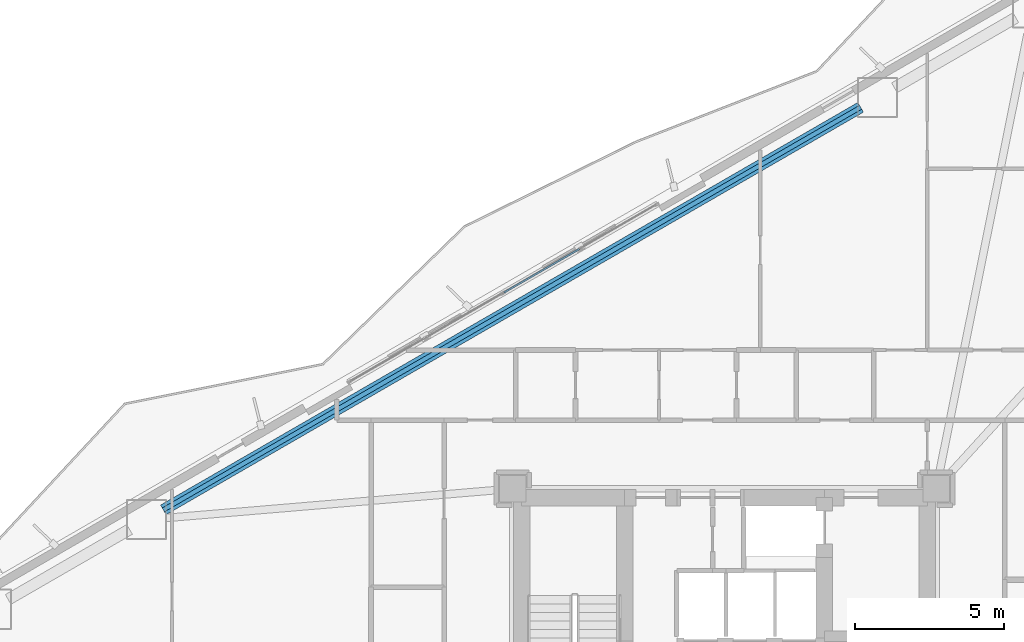
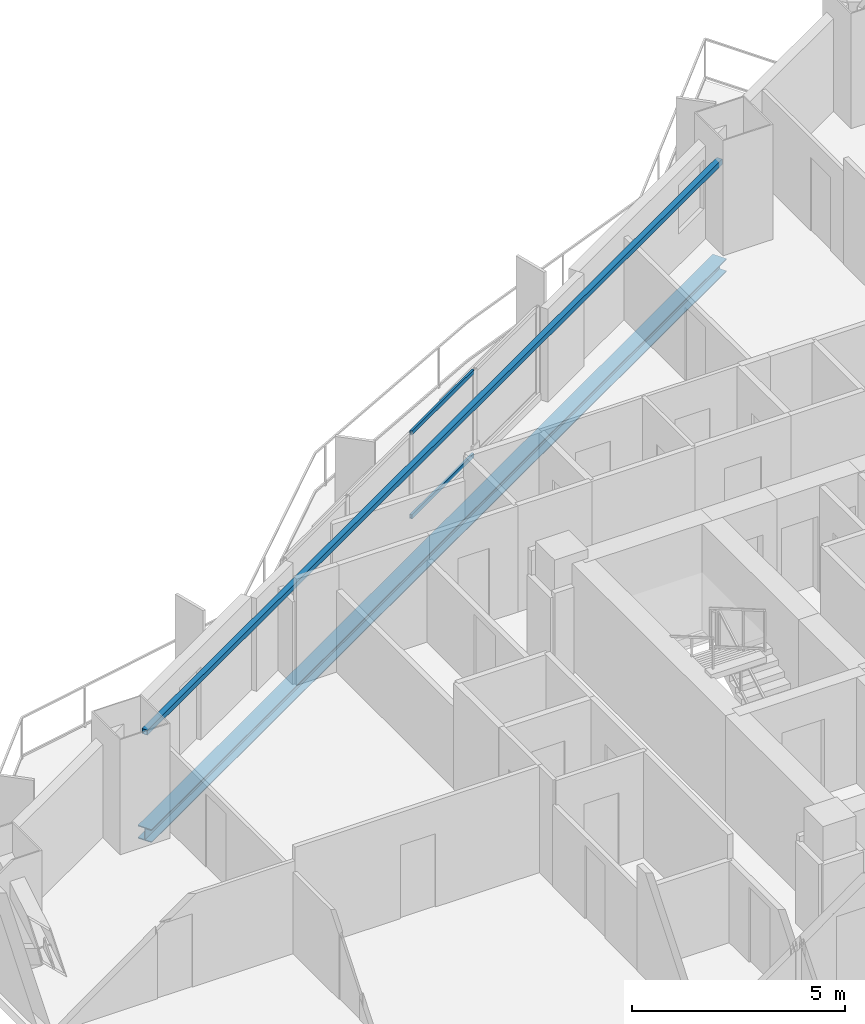
# One storey, part 8 of 19: 2 beams, 2 members, 1 element without a shape of its own.
"""IFC4 building model written with IfcOpenShell, lengths in metres."""

from ifc_helpers import new_model, si_unit, direction, frame, origin, origin_2d, place, context, subcontext, project, spatial, hollow_rectangle, i_section, extrude, material, layer, layer_set, material_profile, profile_set, type_object, element, aggregate, save


model = new_model("IFC4")

# Units and contexts
model_context = context("Model", 3, precision=1e-05, world=origin(), true_north=direction((0.0, 1.0)))
body_context = subcontext(model_context, "Body", "Model", "MODEL_VIEW")
ifc_project = project(units=[si_unit("LENGTHUNIT", "METRE"), si_unit("AREAUNIT", "SQUARE_METRE"), si_unit("VOLUMEUNIT", "CUBIC_METRE"), si_unit("PLANEANGLEUNIT", "RADIAN"), si_unit("MASSUNIT", "GRAM", prefix="KILO")], contexts=[model_context])

# Site, building, storey
site_placement = place(None, origin())
site = spatial("IfcSite", under=ifc_project, at=site_placement, CompositionType="ELEMENT")
building_placement = place(site_placement, origin())
building = spatial("IfcBuilding", under=site, at=building_placement, Name="Mersakhor Tower and Convention Hall", CompositionType="ELEMENT")
storey_placement = place(building_placement, frame((0.0, 0.0, 29.10009765625)))
storey = spatial("IfcBuildingStorey", under=building, at=storey_placement, Name="L07", CompositionType="ELEMENT", Elevation=29.10009765625)

# Beams
ifc_material_1 = material(Name="Steel S355", Category="steel")
ifc_material_profile_1 = material_profile(ifc_material_1, hollow_rectangle(XDim=0.14990234375, YDim=0.14990234375, WallThickness=0.010009765625, at=origin_2d()), Name="SHS 150x150x10")
ifc_profile_set_1 = profile_set([ifc_material_profile_1], Name="Steel S355")
beam_type_1 = type_object("IfcBeamType", Name="BM-GRT-SHS150", PredefinedType="USERDEFINED", material=ifc_profile_set_1)
beam_1_placement = place(storey_placement, frame((10.183837890625, 32.341064453125, 2.47998046875), z_axis=(0.866025970279, 0.499999018801, 0.0), x_axis=(-0.499999018801, 0.866025970279, 0.0)))
element("IfcBeam", 1, at=beam_1_placement, inside=storey, type_object=beam_type_1, Name="L07 Facade Support Girt GRT-F1", ObjectType="GIRT", PredefinedType="USERDEFINED", context=body_context, shape_type="SweptSolid", body=[
    extrude(hollow_rectangle(XDim=0.14990234375, YDim=0.14990234375, WallThickness=0.010009765625, at=origin_2d()), origin(), (0.0, 0.0, 1.0), 26.99951171875),
])
ifc_material_2 = material(Name="Steel S355", Category="steel")
ifc_material_profile_2 = material_profile(ifc_material_2, i_section(OverallWidth=0.374755859375, OverallDepth=0.37451171875, WebThickness=0.0166015625, FlangeThickness=0.027099609375, at=origin_2d()), Name="UC 356x368x202")
ifc_profile_set_2 = profile_set([ifc_material_profile_2], Name="Steel S355")
beam_type_2 = type_object("IfcBeamType", Name="BM-SPD-UC356", PredefinedType="SPANDREL", material=ifc_profile_set_2)
beam_2_placement = place(storey_placement, frame((10.183837890625, 32.341064453125, -0.447509765625), z_axis=(0.866025970279, 0.499999018801, 0.0), x_axis=(-0.499999018801, 0.866025970279, 0.0)))
element("IfcBeam", 2, at=beam_2_placement, inside=storey, type_object=beam_type_2, Name="L07 Perimeter Spandrel Beam SPB-02", PredefinedType="SPANDREL", context=body_context, shape_type="SweptSolid", body=[
    extrude(i_section(OverallWidth=0.374755859375, OverallDepth=0.37451171875, WebThickness=0.0166015625, FlangeThickness=0.027099609375, at=origin_2d()), origin(), (0.0, 0.0, 1.0), 26.99951171875),
])

# Curtain wall, members
ifc_material_3 = material(Name="Dark solar low-E aluminium curtain wall", Category="aluminium")
ifc_layer = layer(ifc_material_3, 0.159912109375)
ifc_layer_set = layer_set([ifc_layer], Name="Dark solar low-E aluminium curtain wall")
curtain_wall_type = type_object("IfcCurtainWallType", Name="CW-SYS-01", PredefinedType="USERDEFINED", material=ifc_layer_set)
curtain_wall_placement = place(storey_placement, origin())
curtain_wall = element("IfcCurtainWall", 3, at=curtain_wall_placement, inside=storey, type_object=curtain_wall_type, Name="L07 Dark-Glass Curtain Wall F1-B2", ObjectType="CURTAIN WALL", PredefinedType="USERDEFINED")
ifc_material_4 = material(Name="Anodised aluminium EN AW-6063 T6", Category="aluminium")
ifc_material_profile_3 = material_profile(ifc_material_4, hollow_rectangle(XDim=0.06005859375, YDim=0.1201171875, WallThickness=0.0048828125, at=origin_2d()), Name="RHS 120x60x5")
ifc_profile_set_3 = profile_set([ifc_material_profile_3], Name="Anodised aluminium EN AW-6063 T6")
member_type = type_object("IfcMemberType", Name="CWT-120x60", PredefinedType="USERDEFINED", material=ifc_profile_set_3)
member_1_placement = place(storey_placement, frame((21.607421875, 39.629150390625, 0.22998046875), z_axis=(0.866015622527, 0.500016941252, 0.0), x_axis=(-0.500016941252, 0.866015622527, 0.0)))
member_1 = element("IfcMember", 4, at=member_1_placement, type_object=member_type, Name="CW-01 transom 3.1", ObjectType="TRANSOM", PredefinedType="USERDEFINED", context=body_context, shape_type="SweptSolid", body=[
    extrude(hollow_rectangle(XDim=0.06005859375, YDim=0.1201171875, WallThickness=0.0048828125, at=origin_2d()), origin(), (0.0, 0.0, 1.0), 2.91845703125),
])
member_2_placement = place(storey_placement, frame((21.607421875, 39.629150390625, 2.6298828125), z_axis=(0.866015622527, 0.500016941252, 0.0), x_axis=(-0.500016941252, 0.866015622527, 0.0)))
member_2 = element("IfcMember", 5, at=member_2_placement, type_object=member_type, Name="CW-01 transom 3.2", ObjectType="TRANSOM", PredefinedType="USERDEFINED", context=body_context, shape_type="SweptSolid", body=[
    extrude(hollow_rectangle(XDim=0.06005859375, YDim=0.1201171875, WallThickness=0.0048828125, at=origin_2d()), origin(), (0.0, 0.0, 1.0), 2.91845703125),
])
aggregate(curtain_wall, [member_1, member_2])

save(model, "model.ifc")
